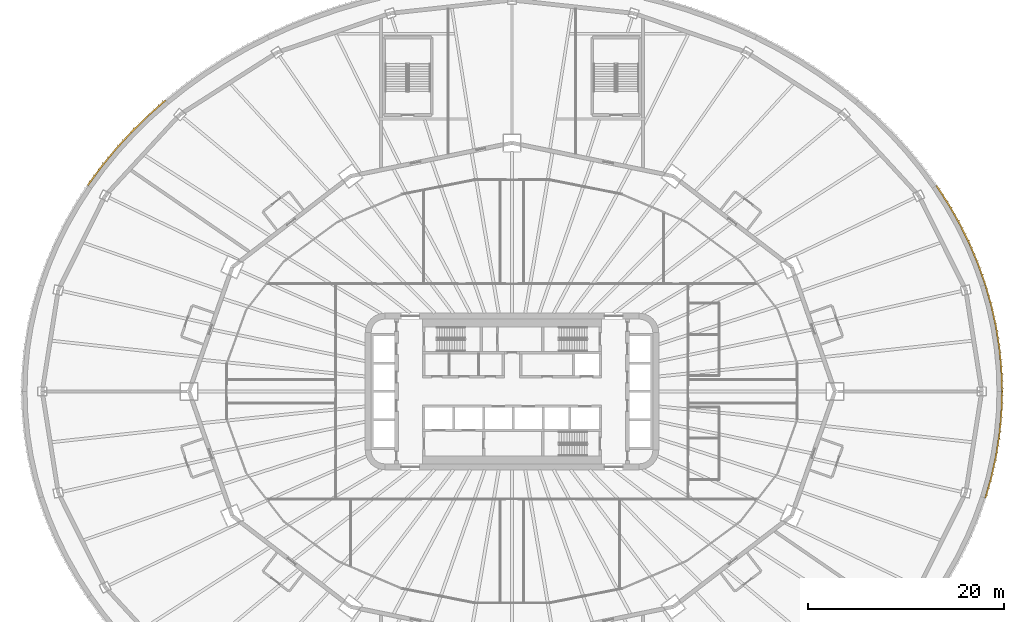
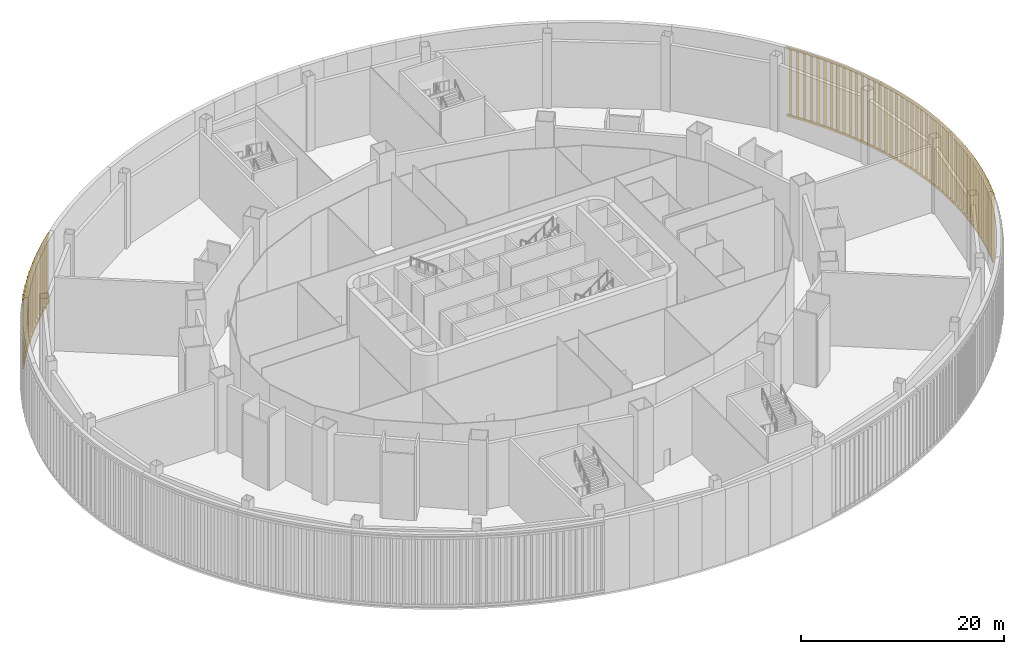
# One storey, part 32 of 35: 4 shading devices.
"""IFC4 building model written with IfcOpenShell, lengths in metres."""

from ifc_helpers import new_model, si_unit, direction, frame, origin, origin_2d, place, context, subcontext, project, spatial, rectangle, extrude, material, type_object, element, save


model = new_model("IFC4")

# Units and contexts
model_context = context("Model", 3, precision=1e-05, world=origin(), true_north=direction((0.0, 1.0)))
body_context = subcontext(model_context, "Body", "Model", "MODEL_VIEW")
ifc_project = project(units=[si_unit("LENGTHUNIT", "METRE"), si_unit("AREAUNIT", "SQUARE_METRE"), si_unit("VOLUMEUNIT", "CUBIC_METRE"), si_unit("PLANEANGLEUNIT", "RADIAN"), si_unit("MASSUNIT", "GRAM", prefix="KILO")], contexts=[model_context])

# Site, building, storey
site_placement = place(None, origin())
site = spatial("IfcSite", under=ifc_project, at=site_placement, CompositionType="ELEMENT")
building_placement = place(site_placement, origin())
building = spatial("IfcBuilding", under=site, at=building_placement, Name="Sahrelin Media Tower", CompositionType="ELEMENT")
storey_placement = place(building_placement, frame((0.0, 0.0, 17.0)))
storey = spatial("IfcBuildingStorey", under=building, at=storey_placement, Name="L02", CompositionType="ELEMENT", Elevation=17.0)

# Shading devices
ifc_material = material(Name="Champagne anodised aluminium 6063-T6", Category="aluminium")
shading_device_type = type_object("IfcShadingDeviceType", Name="Studio facade screen", PredefinedType="USERDEFINED", material=ifc_material)
shading_device_1_placement = place(storey_placement, frame((50.0, 0.0, 0.0), z_axis=(0.0, 0.0, 1.0), x_axis=(0.154807009046, -0.98794473021, 0.0)))
element("IfcShadingDevice", 1, at=shading_device_1_placement, inside=storey, type_object=shading_device_type, Name="L02:SCREEN:L02-P00", ObjectType="SCREEN", PredefinedType="USERDEFINED", context=body_context, shape_type="SweptSolid", body=[
    extrude(rectangle(XDim=0.14990234375, YDim=0.25, at=origin_2d()), frame((0.00927734375, 0.074462890625, 0.35009765625), z_axis=(-0.992281292284, 0.124007406968, 0.0), x_axis=(-0.124007406968, -0.992281292284, 0.0)), (0.0, 0.0, 1.0), 2.19921875),
    extrude(rectangle(XDim=0.14990234375, YDim=0.25, at=origin_2d()), frame((0.00927734375, 0.074462890625, 8.449951171875), z_axis=(-0.992281292284, 0.124007406968, 0.0), x_axis=(-0.124007406968, -0.992281292284, 0.0)), (0.0, 0.0, 1.0), 2.19921875),
    extrude(rectangle(XDim=0.300048828125, YDim=0.0400390625, at=origin_2d()), frame((-0.34521484375, 0.1943359375, 0.47509765625), z_axis=(0.0, 0.0, 1.0), x_axis=(0.707106781187, 0.707106781187, 0.0)), (0.0, 0.0, 1.0), 7.849853515625),
    extrude(rectangle(XDim=0.300048828125, YDim=0.0400390625, at=origin_2d()), frame((-1.072509765625, 0.28515625, 0.47509765625), z_axis=(0.0, 0.0, 1.0), x_axis=(0.707106781187, 0.707106781187, 0.0)), (0.0, 0.0, 1.0), 7.849853515625),
    extrude(rectangle(XDim=0.300048828125, YDim=0.0400390625, at=origin_2d()), frame((-1.7998046875, 0.376220703125, 0.47509765625), z_axis=(0.0, 0.0, 1.0), x_axis=(0.707106781187, 0.707106781187, 0.0)), (0.0, 0.0, 1.0), 7.849853515625),
    extrude(rectangle(XDim=0.14990234375, YDim=0.25, at=origin_2d()), frame((-2.177490234375, 0.347412109375, 0.35009765625), z_axis=(-0.998077094115, 0.061984790091, 0.0), x_axis=(-0.061984790091, -0.998077094115, 0.0)), (0.0, 0.0, 1.0), 2.20166015625),
    extrude(rectangle(XDim=0.14990234375, YDim=0.25, at=origin_2d()), frame((-2.177490234375, 0.347412109375, 8.449951171875), z_axis=(-0.998077094115, 0.061984790091, 0.0), x_axis=(-0.061984790091, -0.998077094115, 0.0)), (0.0, 0.0, 1.0), 2.20166015625),
    extrude(rectangle(XDim=0.300048828125, YDim=0.0400390625, at=origin_2d()), frame((-2.5390625, 0.445068359375, 0.47509765625), z_axis=(0.0, 0.0, 1.0), x_axis=(0.707106781187, 0.707106781187, 0.0)), (0.0, 0.0, 1.0), 7.849853515625),
    extrude(rectangle(XDim=0.300048828125, YDim=0.0400390625, at=origin_2d()), frame((-3.271484375, 0.490478515625, 0.47509765625), z_axis=(0.0, 0.0, 1.0), x_axis=(0.707106781187, 0.707106781187, 0.0)), (0.0, 0.0, 1.0), 7.849853515625),
    extrude(rectangle(XDim=0.300048828125, YDim=0.0400390625, at=origin_2d()), frame((-4.004150390625, 0.5361328125, 0.47509765625), z_axis=(0.0, 0.0, 1.0), x_axis=(0.707106781187, 0.707106781187, 0.0)), (0.0, 0.0, 1.0), 7.849853515625),
    extrude(rectangle(XDim=0.14990234375, YDim=0.25, at=origin_2d()), frame((-4.379638671875, 0.484130859375, 0.35009765625), z_axis=(-1.0, 0.0, 0.0), x_axis=(0.0, -1.0, 0.0)), (0.0, 0.0, 1.0), 2.20654296875),
    extrude(rectangle(XDim=0.14990234375, YDim=0.25, at=origin_2d()), frame((-4.379638671875, 0.484130859375, 8.449951171875), z_axis=(-1.0, 0.0, 0.0), x_axis=(0.0, -1.0, 0.0)), (0.0, 0.0, 1.0), 2.20654296875),
    extrude(rectangle(XDim=0.300048828125, YDim=0.0400390625, at=origin_2d()), frame((-4.747314453125, 0.55908203125, 0.47509765625), z_axis=(0.0, 0.0, 1.0), x_axis=(0.707106781187, 0.707106781187, 0.0)), (0.0, 0.0, 1.0), 7.849853515625),
    extrude(rectangle(XDim=0.300048828125, YDim=0.0400390625, at=origin_2d()), frame((-5.48291015625, 0.55908203125, 0.47509765625), z_axis=(0.0, 0.0, 1.0), x_axis=(0.707106781187, 0.707106781187, 0.0)), (0.0, 0.0, 1.0), 7.849853515625),
    extrude(rectangle(XDim=0.300048828125, YDim=0.0400390625, at=origin_2d()), frame((-6.218505859375, 0.55908203125, 0.47509765625), z_axis=(0.0, 0.0, 1.0), x_axis=(0.707106781187, 0.707106781187, 0.0)), (0.0, 0.0, 1.0), 7.849853515625),
    extrude(rectangle(XDim=0.14990234375, YDim=0.25, at=origin_2d()), frame((-6.5908203125, 0.48388671875, 0.35009765625), z_axis=(-0.998098639234, -0.061636891221, 0.0), x_axis=(0.061636891221, -0.998098639234, 0.0)), (0.0, 0.0, 1.0), 2.214111328125),
    extrude(rectangle(XDim=0.14990234375, YDim=0.25, at=origin_2d()), frame((-6.5908203125, 0.48388671875, 8.449951171875), z_axis=(-0.998098639234, -0.061636891221, 0.0), x_axis=(0.061636891221, -0.998098639234, 0.0)), (0.0, 0.0, 1.0), 2.214111328125),
    extrude(rectangle(XDim=0.300048828125, YDim=0.0400390625, at=origin_2d()), frame((-6.9638671875, 0.5361328125, 0.47509765625), z_axis=(0.0, 0.0, 1.0), x_axis=(0.707106781187, 0.707106781187, 0.0)), (0.0, 0.0, 1.0), 7.849853515625),
    extrude(rectangle(XDim=0.300048828125, YDim=0.0400390625, at=origin_2d()), frame((-7.700439453125, 0.490478515625, 0.47509765625), z_axis=(0.0, 0.0, 1.0), x_axis=(0.707106781187, 0.707106781187, 0.0)), (0.0, 0.0, 1.0), 7.849853515625),
    extrude(rectangle(XDim=0.300048828125, YDim=0.0400390625, at=origin_2d()), frame((-8.43701171875, 0.445068359375, 0.47509765625), z_axis=(0.0, 0.0, 1.0), x_axis=(0.707106781187, 0.707106781187, 0.0)), (0.0, 0.0, 1.0), 7.849853515625),
    extrude(rectangle(XDim=0.14990234375, YDim=0.25, at=origin_2d()), frame((-8.805419921875, 0.34716796875, 0.35009765625), z_axis=(-0.992450885786, -0.122642730327, 0.0), x_axis=(0.122642730327, -0.992450885786, 0.0)), (0.0, 0.0, 1.0), 2.2236328125),
    extrude(rectangle(XDim=0.14990234375, YDim=0.25, at=origin_2d()), frame((-8.805419921875, 0.34716796875, 8.449951171875), z_axis=(-0.992450885786, -0.122642730327, 0.0), x_axis=(0.122642730327, -0.992450885786, 0.0)), (0.0, 0.0, 1.0), 2.2236328125),
    extrude(rectangle(XDim=0.300048828125, YDim=0.0400390625, at=origin_2d()), frame((-9.182373046875, 0.376220703125, 0.47509765625), z_axis=(0.0, 0.0, 1.0), x_axis=(0.707106781187, 0.707106781187, 0.0)), (0.0, 0.0, 1.0), 7.849853515625),
    extrude(rectangle(XDim=0.300048828125, YDim=0.0400390625, at=origin_2d()), frame((-9.91796875, 0.28515625, 0.47509765625), z_axis=(0.0, 0.0, 1.0), x_axis=(0.707106781187, 0.707106781187, 0.0)), (0.0, 0.0, 1.0), 7.849853515625),
    extrude(rectangle(XDim=0.300048828125, YDim=0.0400390625, at=origin_2d()), frame((-10.65380859375, 0.1943359375, 0.47509765625), z_axis=(0.0, 0.0, 1.0), x_axis=(0.707106781187, 0.707106781187, 0.0)), (0.0, 0.0, 1.0), 7.849853515625),
])
shading_device_2_placement = place(storey_placement, frame((48.29638671875, 10.870361328125, 0.0), z_axis=(0.0, 0.0, 1.0), x_axis=(0.44228697484, -0.896873587462, 0.0)))
element("IfcShadingDevice", 2, at=shading_device_2_placement, inside=storey, type_object=shading_device_type, Name="L02:SCREEN:L02-P01", ObjectType="SCREEN", PredefinedType="USERDEFINED", context=body_context, shape_type="SweptSolid", body=[
    extrude(rectangle(XDim=0.14990234375, YDim=0.25, at=origin_2d()), frame((0.0087890625, 0.074462890625, 0.35009765625), z_axis=(-0.992914515953, 0.118830820961, 0.0), x_axis=(-0.118830820961, -0.992914515953, 0.0)), (0.0, 0.0, 1.0), 2.2353515625),
    extrude(rectangle(XDim=0.14990234375, YDim=0.25, at=origin_2d()), frame((0.0087890625, 0.074462890625, 8.449951171875), z_axis=(-0.992914515953, 0.118830820961, 0.0), x_axis=(-0.118830820961, -0.992914515953, 0.0)), (0.0, 0.0, 1.0), 2.2353515625),
    extrude(rectangle(XDim=0.300048828125, YDim=0.0400390625, at=origin_2d()), frame((-0.35205078125, 0.193115234375, 0.47509765625), z_axis=(0.0, 0.0, 1.0), x_axis=(0.707106781187, 0.707106781187, 0.0)), (0.0, 0.0, 1.0), 7.849853515625),
    extrude(rectangle(XDim=0.300048828125, YDim=0.0400390625, at=origin_2d()), frame((-1.092041015625, 0.28173828125, 0.47509765625), z_axis=(0.0, 0.0, 1.0), x_axis=(0.707106781187, 0.707106781187, 0.0)), (0.0, 0.0, 1.0), 7.849853515625),
    extrude(rectangle(XDim=0.300048828125, YDim=0.0400390625, at=origin_2d()), frame((-1.83203125, 0.370361328125, 0.47509765625), z_axis=(0.0, 0.0, 1.0), x_axis=(0.707106781187, 0.707106781187, 0.0)), (0.0, 0.0, 1.0), 7.849853515625),
    extrude(rectangle(XDim=0.14990234375, YDim=0.25, at=origin_2d()), frame((-2.21533203125, 0.340576171875, 0.35009765625), z_axis=(-0.998255232119, 0.059046520199, 0.0), x_axis=(-0.059046520199, -0.998255232119, 0.0)), (0.0, 0.0, 1.0), 2.249267578125),
    extrude(rectangle(XDim=0.14990234375, YDim=0.25, at=origin_2d()), frame((-2.21533203125, 0.340576171875, 8.449951171875), z_axis=(-0.998255232119, 0.059046520199, 0.0), x_axis=(-0.059046520199, -0.998255232119, 0.0)), (0.0, 0.0, 1.0), 2.249267578125),
    extrude(rectangle(XDim=0.300048828125, YDim=0.0400390625, at=origin_2d()), frame((-2.585205078125, 0.4375, 0.47509765625), z_axis=(0.0, 0.0, 1.0), x_axis=(0.707106781187, 0.707106781187, 0.0)), (0.0, 0.0, 1.0), 7.849853515625),
    extrude(rectangle(XDim=0.300048828125, YDim=0.0400390625, at=origin_2d()), frame((-3.33349609375, 0.481689453125, 0.47509765625), z_axis=(0.0, 0.0, 1.0), x_axis=(0.707106781187, 0.707106781187, 0.0)), (0.0, 0.0, 1.0), 7.849853515625),
    extrude(rectangle(XDim=0.300048828125, YDim=0.0400390625, at=origin_2d()), frame((-4.08203125, 0.526123046875, 0.47509765625), z_axis=(0.0, 0.0, 1.0), x_axis=(0.707106781187, 0.707106781187, 0.0)), (0.0, 0.0, 1.0), 7.849853515625),
    extrude(rectangle(XDim=0.14990234375, YDim=0.25, at=origin_2d()), frame((-4.465087890625, 0.4736328125, 0.35009765625), z_axis=(-1.0, 0.0, 0.0), x_axis=(0.0, -1.0, 0.0)), (0.0, 0.0, 1.0), 2.26513671875),
    extrude(rectangle(XDim=0.14990234375, YDim=0.25, at=origin_2d()), frame((-4.465087890625, 0.4736328125, 8.449951171875), z_axis=(-1.0, 0.0, 0.0), x_axis=(0.0, -1.0, 0.0)), (0.0, 0.0, 1.0), 2.26513671875),
    extrude(rectangle(XDim=0.300048828125, YDim=0.0400390625, at=origin_2d()), frame((-4.8427734375, 0.548583984375, 0.47509765625), z_axis=(0.0, 0.0, 1.0), x_axis=(0.707106781187, 0.707106781187, 0.0)), (0.0, 0.0, 1.0), 7.849853515625),
    extrude(rectangle(XDim=0.300048828125, YDim=0.0400390625, at=origin_2d()), frame((-5.59765625, 0.548583984375, 0.47509765625), z_axis=(0.0, 0.0, 1.0), x_axis=(0.707106781187, 0.707106781187, 0.0)), (0.0, 0.0, 1.0), 7.849853515625),
    extrude(rectangle(XDim=0.300048828125, YDim=0.0400390625, at=origin_2d()), frame((-6.352783203125, 0.548583984375, 0.47509765625), z_axis=(0.0, 0.0, 1.0), x_axis=(0.707106781187, 0.707106781187, 0.0)), (0.0, 0.0, 1.0), 7.849853515625),
    extrude(rectangle(XDim=0.14990234375, YDim=0.25, at=origin_2d()), frame((-6.734619140625, 0.473388671875, 0.35009765625), z_axis=(-0.998305220506, -0.058195246459, 0.0), x_axis=(0.058195246459, -0.998305220506, 0.0)), (0.0, 0.0, 1.0), 2.2822265625),
    extrude(rectangle(XDim=0.14990234375, YDim=0.25, at=origin_2d()), frame((-6.734619140625, 0.473388671875, 8.449951171875), z_axis=(-0.998305220506, -0.058195246459, 0.0), x_axis=(0.058195246459, -0.998305220506, 0.0)), (0.0, 0.0, 1.0), 2.2822265625),
    extrude(rectangle(XDim=0.300048828125, YDim=0.0400390625, at=origin_2d()), frame((-7.11865234375, 0.526123046875, 0.47509765625), z_axis=(0.0, 0.0, 1.0), x_axis=(0.707106781187, 0.707106781187, 0.0)), (0.0, 0.0, 1.0), 7.849853515625),
    extrude(rectangle(XDim=0.300048828125, YDim=0.0400390625, at=origin_2d()), frame((-7.878173828125, 0.481689453125, 0.47509765625), z_axis=(0.0, 0.0, 1.0), x_axis=(0.707106781187, 0.707106781187, 0.0)), (0.0, 0.0, 1.0), 7.849853515625),
    extrude(rectangle(XDim=0.300048828125, YDim=0.0400390625, at=origin_2d()), frame((-8.6376953125, 0.4375, 0.47509765625), z_axis=(0.0, 0.0, 1.0), x_axis=(0.707106781187, 0.707106781187, 0.0)), (0.0, 0.0, 1.0), 7.849853515625),
    extrude(rectangle(XDim=0.14990234375, YDim=0.25, at=origin_2d()), frame((-9.017333984375, 0.340087890625, 0.35009765625), z_axis=(-0.993314738525, -0.115437559871, 0.0), x_axis=(0.115437559871, -0.993314738525, 0.0)), (0.0, 0.0, 1.0), 2.301025390625),
    extrude(rectangle(XDim=0.14990234375, YDim=0.25, at=origin_2d()), frame((-9.017333984375, 0.340087890625, 8.449951171875), z_axis=(-0.993314738525, -0.115437559871, 0.0), x_axis=(0.115437559871, -0.993314738525, 0.0)), (0.0, 0.0, 1.0), 2.301025390625),
    extrude(rectangle(XDim=0.300048828125, YDim=0.0400390625, at=origin_2d()), frame((-9.406982421875, 0.370361328125, 0.47509765625), z_axis=(0.0, 0.0, 1.0), x_axis=(0.707106781187, 0.707106781187, 0.0)), (0.0, 0.0, 1.0), 7.849853515625),
    extrude(rectangle(XDim=0.300048828125, YDim=0.0400390625, at=origin_2d()), frame((-10.168701171875, 0.28173828125, 0.47509765625), z_axis=(0.0, 0.0, 1.0), x_axis=(0.707106781187, 0.707106781187, 0.0)), (0.0, 0.0, 1.0), 7.849853515625),
    extrude(rectangle(XDim=0.300048828125, YDim=0.0400390625, at=origin_2d()), frame((-10.9306640625, 0.193359375, 0.47509765625), z_axis=(0.0, 0.0, 1.0), x_axis=(0.707106781187, 0.707106781187, 0.0)), (0.0, 0.0, 1.0), 7.849853515625),
])
shading_device_3_placement = place(storey_placement, frame((-35.355224609375, 29.698486328125, 0.0), z_axis=(0.0, 0.0, 1.0), x_axis=(0.674432963717, 0.738336087058, 0.0)))
element("IfcShadingDevice", 3, at=shading_device_3_placement, inside=storey, type_object=shading_device_type, Name="L02:SCREEN:L02-P09", ObjectType="SCREEN", PredefinedType="USERDEFINED", context=body_context, shape_type="SweptSolid", body=[
    extrude(rectangle(XDim=0.14990234375, YDim=0.25, at=origin_2d()), frame((0.0078125, 0.07470703125, 0.35009765625), z_axis=(-0.994395950407, 0.105719883718, 0.0), x_axis=(-0.105719883718, -0.994395950407, 0.0)), (0.0, 0.0, 1.0), 2.40625),
    extrude(rectangle(XDim=0.14990234375, YDim=0.25, at=origin_2d()), frame((0.0078125, 0.07470703125, 8.449951171875), z_axis=(-0.994395950407, 0.105719883718, 0.0), x_axis=(-0.105719883718, -0.994395950407, 0.0)), (0.0, 0.0, 1.0), 2.40625),
    extrude(rectangle(XDim=0.300048828125, YDim=0.0400390625, at=origin_2d()), frame((-0.283203125, 0.180908203125, 0.47509765625), z_axis=(0.0, 0.0, 1.0), x_axis=(0.707106781187, 0.707106781187, 0.0)), (0.0, 0.0, 1.0), 7.849853515625),
    extrude(rectangle(XDim=0.300048828125, YDim=0.0400390625, at=origin_2d()), frame((-0.881591796875, 0.24462890625, 0.47509765625), z_axis=(0.0, 0.0, 1.0), x_axis=(0.707106781187, 0.707106781187, 0.0)), (0.0, 0.0, 1.0), 7.849853515625),
    extrude(rectangle(XDim=0.300048828125, YDim=0.0400390625, at=origin_2d()), frame((-1.479736328125, 0.308349609375, 0.47509765625), z_axis=(0.0, 0.0, 1.0), x_axis=(0.707106781187, 0.707106781187, 0.0)), (0.0, 0.0, 1.0), 7.849853515625),
    extrude(rectangle(XDim=0.300048828125, YDim=0.0400390625, at=origin_2d()), frame((-2.077880859375, 0.3720703125, 0.47509765625), z_axis=(0.0, 0.0, 1.0), x_axis=(0.707106781187, 0.707106781187, 0.0)), (0.0, 0.0, 1.0), 7.849853515625),
    extrude(rectangle(XDim=0.14990234375, YDim=0.25, at=origin_2d()), frame((-2.388916015625, 0.32958984375, 0.35009765625), z_axis=(-0.998570768026, 0.053445497889, 0.0), x_axis=(-0.053445497889, -0.998570768026, 0.0)), (0.0, 0.0, 1.0), 2.384521484375),
    extrude(rectangle(XDim=0.14990234375, YDim=0.25, at=origin_2d()), frame((-2.388916015625, 0.32958984375, 8.449951171875), z_axis=(-0.998570768026, 0.053445497889, 0.0), x_axis=(-0.053445497889, -0.998570768026, 0.0)), (0.0, 0.0, 1.0), 2.384521484375),
    extrude(rectangle(XDim=0.300048828125, YDim=0.0400390625, at=origin_2d()), frame((-2.78173828125, 0.42578125, 0.47509765625), z_axis=(0.0, 0.0, 1.0), x_axis=(0.707106781187, 0.707106781187, 0.0)), (0.0, 0.0, 1.0), 7.849853515625),
    extrude(rectangle(XDim=0.300048828125, YDim=0.0400390625, at=origin_2d()), frame((-3.575439453125, 0.46826171875, 0.47509765625), z_axis=(0.0, 0.0, 1.0), x_axis=(0.707106781187, 0.707106781187, 0.0)), (0.0, 0.0, 1.0), 7.849853515625),
    extrude(rectangle(XDim=0.300048828125, YDim=0.0400390625, at=origin_2d()), frame((-4.369140625, 0.5107421875, 0.47509765625), z_axis=(0.0, 0.0, 1.0), x_axis=(0.707106781187, 0.707106781187, 0.0)), (0.0, 0.0, 1.0), 7.849853515625),
    extrude(rectangle(XDim=0.14990234375, YDim=0.25, at=origin_2d()), frame((-4.77392578125, 0.457275390625, 0.35009765625), z_axis=(-0.999999994662, -0.000103327133, 0.0), x_axis=(0.000103327133, -0.999999994662, 0.0)), (0.0, 0.0, 1.0), 2.36279296875),
    extrude(rectangle(XDim=0.14990234375, YDim=0.25, at=origin_2d()), frame((-4.77392578125, 0.457275390625, 8.449951171875), z_axis=(-0.999999994662, -0.000103327133, 0.0), x_axis=(0.000103327133, -0.999999994662, 0.0)), (0.0, 0.0, 1.0), 2.36279296875),
    extrude(rectangle(XDim=0.300048828125, YDim=0.0400390625, at=origin_2d()), frame((-5.167724609375, 0.5322265625, 0.47509765625), z_axis=(0.0, 0.0, 1.0), x_axis=(0.707106781187, 0.707106781187, 0.0)), (0.0, 0.0, 1.0), 7.849853515625),
    extrude(rectangle(XDim=0.300048828125, YDim=0.0400390625, at=origin_2d()), frame((-5.955322265625, 0.531982421875, 0.47509765625), z_axis=(0.0, 0.0, 1.0), x_axis=(0.707106781187, 0.707106781187, 0.0)), (0.0, 0.0, 1.0), 7.849853515625),
    extrude(rectangle(XDim=0.300048828125, YDim=0.0400390625, at=origin_2d()), frame((-6.742919921875, 0.531982421875, 0.47509765625), z_axis=(0.0, 0.0, 1.0), x_axis=(0.707106781187, 0.707106781187, 0.0)), (0.0, 0.0, 1.0), 7.849853515625),
    extrude(rectangle(XDim=0.14990234375, YDim=0.25, at=origin_2d()), frame((-7.140869140625, 0.45703125, 0.35009765625), z_axis=(-0.998517563231, -0.054430468672, 0.0), x_axis=(0.054430468672, -0.998517563231, 0.0)), (0.0, 0.0, 1.0), 2.34130859375),
    extrude(rectangle(XDim=0.14990234375, YDim=0.25, at=origin_2d()), frame((-7.140869140625, 0.45703125, 8.449951171875), z_axis=(-0.998517563231, -0.054430468672, 0.0), x_axis=(0.054430468672, -0.998517563231, 0.0)), (0.0, 0.0, 1.0), 2.34130859375),
    extrude(rectangle(XDim=0.300048828125, YDim=0.0400390625, at=origin_2d()), frame((-7.53466796875, 0.510498046875, 0.47509765625), z_axis=(0.0, 0.0, 1.0), x_axis=(0.707106781187, 0.707106781187, 0.0)), (0.0, 0.0, 1.0), 7.849853515625),
    extrude(rectangle(XDim=0.300048828125, YDim=0.0400390625, at=origin_2d()), frame((-8.31396484375, 0.468017578125, 0.47509765625), z_axis=(0.0, 0.0, 1.0), x_axis=(0.707106781187, 0.707106781187, 0.0)), (0.0, 0.0, 1.0), 7.849853515625),
    extrude(rectangle(XDim=0.300048828125, YDim=0.0400390625, at=origin_2d()), frame((-9.09326171875, 0.425537109375, 0.47509765625), z_axis=(0.0, 0.0, 1.0), x_axis=(0.707106781187, 0.707106781187, 0.0)), (0.0, 0.0, 1.0), 7.849853515625),
    extrude(rectangle(XDim=0.14990234375, YDim=0.25, at=origin_2d()), frame((-9.48291015625, 0.3291015625, 0.35009765625), z_axis=(-0.993963012616, -0.109715675961, 0.0), x_axis=(0.109715675961, -0.993963012616, 0.0)), (0.0, 0.0, 1.0), 2.32080078125),
    extrude(rectangle(XDim=0.14990234375, YDim=0.25, at=origin_2d()), frame((-9.48291015625, 0.3291015625, 8.449951171875), z_axis=(-0.993963012616, -0.109715675961, 0.0), x_axis=(0.109715675961, -0.993963012616, 0.0)), (0.0, 0.0, 1.0), 2.32080078125),
    extrude(rectangle(XDim=0.300048828125, YDim=0.0400390625, at=origin_2d()), frame((-9.875732421875, 0.361083984375, 0.47509765625), z_axis=(0.0, 0.0, 1.0), x_axis=(0.707106781187, 0.707106781187, 0.0)), (0.0, 0.0, 1.0), 7.849853515625),
    extrude(rectangle(XDim=0.300048828125, YDim=0.0400390625, at=origin_2d()), frame((-10.64453125, 0.2763671875, 0.47509765625), z_axis=(0.0, 0.0, 1.0), x_axis=(0.707106781187, 0.707106781187, 0.0)), (0.0, 0.0, 1.0), 7.849853515625),
    extrude(rectangle(XDim=0.300048828125, YDim=0.0400390625, at=origin_2d()), frame((-11.41357421875, 0.19140625, 0.47509765625), z_axis=(0.0, 0.0, 1.0), x_axis=(0.707106781187, 0.707106781187, 0.0)), (0.0, 0.0, 1.0), 7.849853515625),
])
shading_device_4_placement = place(storey_placement, frame((48.29638671875, -10.870361328125, 0.0), z_axis=(0.0, 0.0, 1.0), x_axis=(-0.154807009046, -0.98794473021, 0.0)))
element("IfcShadingDevice", 4, at=shading_device_4_placement, inside=storey, type_object=shading_device_type, Name="L02:SCREEN:L02-P23", ObjectType="SCREEN", PredefinedType="USERDEFINED", context=body_context, shape_type="SweptSolid", body=[
    extrude(rectangle(XDim=0.14990234375, YDim=0.25, at=origin_2d()), frame((0.00927734375, 0.074462890625, 0.35009765625), z_axis=(-0.992452536992, 0.122629367679, 0.0), x_axis=(-0.122629367679, -0.992452536992, 0.0)), (0.0, 0.0, 1.0), 2.223876953125),
    extrude(rectangle(XDim=0.14990234375, YDim=0.25, at=origin_2d()), frame((0.00927734375, 0.074462890625, 8.449951171875), z_axis=(-0.992452536992, 0.122629367679, 0.0), x_axis=(-0.122629367679, -0.992452536992, 0.0)), (0.0, 0.0, 1.0), 2.223876953125),
    extrude(rectangle(XDim=0.300048828125, YDim=0.0400390625, at=origin_2d()), frame((-0.349365234375, 0.1943359375, 0.47509765625), z_axis=(0.0, 0.0, 1.0), x_axis=(0.707106781187, 0.707106781187, 0.0)), (0.0, 0.0, 1.0), 7.849853515625),
    extrude(rectangle(XDim=0.300048828125, YDim=0.0400390625, at=origin_2d()), frame((-1.085205078125, 0.28515625, 0.47509765625), z_axis=(0.0, 0.0, 1.0), x_axis=(0.707106781187, 0.707106781187, 0.0)), (0.0, 0.0, 1.0), 7.849853515625),
    extrude(rectangle(XDim=0.300048828125, YDim=0.0400390625, at=origin_2d()), frame((-1.82080078125, 0.376220703125, 0.47509765625), z_axis=(0.0, 0.0, 1.0), x_axis=(0.707106781187, 0.707106781187, 0.0)), (0.0, 0.0, 1.0), 7.849853515625),
    extrude(rectangle(XDim=0.14990234375, YDim=0.25, at=origin_2d()), frame((-2.202392578125, 0.347412109375, 0.35009765625), z_axis=(-0.998098220265, 0.061643675299, 0.0), x_axis=(-0.061643675299, -0.998098220265, 0.0)), (0.0, 0.0, 1.0), 2.2138671875),
    extrude(rectangle(XDim=0.14990234375, YDim=0.25, at=origin_2d()), frame((-2.202392578125, 0.347412109375, 8.449951171875), z_axis=(-0.998098220265, 0.061643675299, 0.0), x_axis=(-0.061643675299, -0.998098220265, 0.0)), (0.0, 0.0, 1.0), 2.2138671875),
    extrude(rectangle(XDim=0.300048828125, YDim=0.0400390625, at=origin_2d()), frame((-2.56591796875, 0.445068359375, 0.47509765625), z_axis=(0.0, 0.0, 1.0), x_axis=(0.707106781187, 0.707106781187, 0.0)), (0.0, 0.0, 1.0), 7.849853515625),
    extrude(rectangle(XDim=0.300048828125, YDim=0.0400390625, at=origin_2d()), frame((-3.302490234375, 0.490478515625, 0.47509765625), z_axis=(0.0, 0.0, 1.0), x_axis=(0.707106781187, 0.707106781187, 0.0)), (0.0, 0.0, 1.0), 7.849853515625),
    extrude(rectangle(XDim=0.300048828125, YDim=0.0400390625, at=origin_2d()), frame((-4.039306640625, 0.5361328125, 0.47509765625), z_axis=(0.0, 0.0, 1.0), x_axis=(0.707106781187, 0.707106781187, 0.0)), (0.0, 0.0, 1.0), 7.849853515625),
    extrude(rectangle(XDim=0.14990234375, YDim=0.25, at=origin_2d()), frame((-4.416748046875, 0.484130859375, 0.35009765625), z_axis=(-1.0, 0.0, 0.0), x_axis=(0.0, -1.0, 0.0)), (0.0, 0.0, 1.0), 2.20654296875),
    extrude(rectangle(XDim=0.14990234375, YDim=0.25, at=origin_2d()), frame((-4.416748046875, 0.484130859375, 8.449951171875), z_axis=(-1.0, 0.0, 0.0), x_axis=(0.0, -1.0, 0.0)), (0.0, 0.0, 1.0), 2.20654296875),
    extrude(rectangle(XDim=0.300048828125, YDim=0.0400390625, at=origin_2d()), frame((-4.78466796875, 0.55908203125, 0.47509765625), z_axis=(0.0, 0.0, 1.0), x_axis=(0.707106781187, 0.707106781187, 0.0)), (0.0, 0.0, 1.0), 7.849853515625),
    extrude(rectangle(XDim=0.300048828125, YDim=0.0400390625, at=origin_2d()), frame((-5.52001953125, 0.55908203125, 0.47509765625), z_axis=(0.0, 0.0, 1.0), x_axis=(0.707106781187, 0.707106781187, 0.0)), (0.0, 0.0, 1.0), 7.849853515625),
    extrude(rectangle(XDim=0.300048828125, YDim=0.0400390625, at=origin_2d()), frame((-6.255615234375, 0.55908203125, 0.47509765625), z_axis=(0.0, 0.0, 1.0), x_axis=(0.707106781187, 0.707106781187, 0.0)), (0.0, 0.0, 1.0), 7.849853515625),
    extrude(rectangle(XDim=0.14990234375, YDim=0.25, at=origin_2d()), frame((-6.628173828125, 0.48388671875, 0.35009765625), z_axis=(-0.998077094115, -0.061984790091, 0.0), x_axis=(0.061984790091, -0.998077094115, 0.0)), (0.0, 0.0, 1.0), 2.20166015625),
    extrude(rectangle(XDim=0.14990234375, YDim=0.25, at=origin_2d()), frame((-6.628173828125, 0.48388671875, 8.449951171875), z_axis=(-0.998077094115, -0.061984790091, 0.0), x_axis=(0.061984790091, -0.998077094115, 0.0)), (0.0, 0.0, 1.0), 2.20166015625),
    extrude(rectangle(XDim=0.300048828125, YDim=0.0400390625, at=origin_2d()), frame((-6.9990234375, 0.5361328125, 0.47509765625), z_axis=(0.0, 0.0, 1.0), x_axis=(0.707106781187, 0.707106781187, 0.0)), (0.0, 0.0, 1.0), 7.849853515625),
    extrude(rectangle(XDim=0.300048828125, YDim=0.0400390625, at=origin_2d()), frame((-7.7314453125, 0.490478515625, 0.47509765625), z_axis=(0.0, 0.0, 1.0), x_axis=(0.707106781187, 0.707106781187, 0.0)), (0.0, 0.0, 1.0), 7.849853515625),
    extrude(rectangle(XDim=0.300048828125, YDim=0.0400390625, at=origin_2d()), frame((-8.464111328125, 0.445068359375, 0.47509765625), z_axis=(0.0, 0.0, 1.0), x_axis=(0.707106781187, 0.707106781187, 0.0)), (0.0, 0.0, 1.0), 7.849853515625),
    extrude(rectangle(XDim=0.14990234375, YDim=0.25, at=origin_2d()), frame((-8.830078125, 0.34716796875, 0.35009765625), z_axis=(-0.992282999223, -0.123993747638, 0.0), x_axis=(0.123993747638, -0.992282999223, 0.0)), (0.0, 0.0, 1.0), 2.199462890625),
    extrude(rectangle(XDim=0.14990234375, YDim=0.25, at=origin_2d()), frame((-8.830078125, 0.34716796875, 8.449951171875), z_axis=(-0.992282999223, -0.123993747638, 0.0), x_axis=(0.123993747638, -0.992282999223, 0.0)), (0.0, 0.0, 1.0), 2.199462890625),
    extrude(rectangle(XDim=0.300048828125, YDim=0.0400390625, at=origin_2d()), frame((-9.203125, 0.376220703125, 0.47509765625), z_axis=(0.0, 0.0, 1.0), x_axis=(0.707106781187, 0.707106781187, 0.0)), (0.0, 0.0, 1.0), 7.849853515625),
    extrude(rectangle(XDim=0.300048828125, YDim=0.0400390625, at=origin_2d()), frame((-9.9306640625, 0.28515625, 0.47509765625), z_axis=(0.0, 0.0, 1.0), x_axis=(0.707106781187, 0.707106781187, 0.0)), (0.0, 0.0, 1.0), 7.849853515625),
    extrude(rectangle(XDim=0.300048828125, YDim=0.0400390625, at=origin_2d()), frame((-10.657958984375, 0.1943359375, 0.47509765625), z_axis=(0.0, 0.0, 1.0), x_axis=(0.707106781187, 0.707106781187, 0.0)), (0.0, 0.0, 1.0), 7.849853515625),
])

save(model, "model.ifc")
